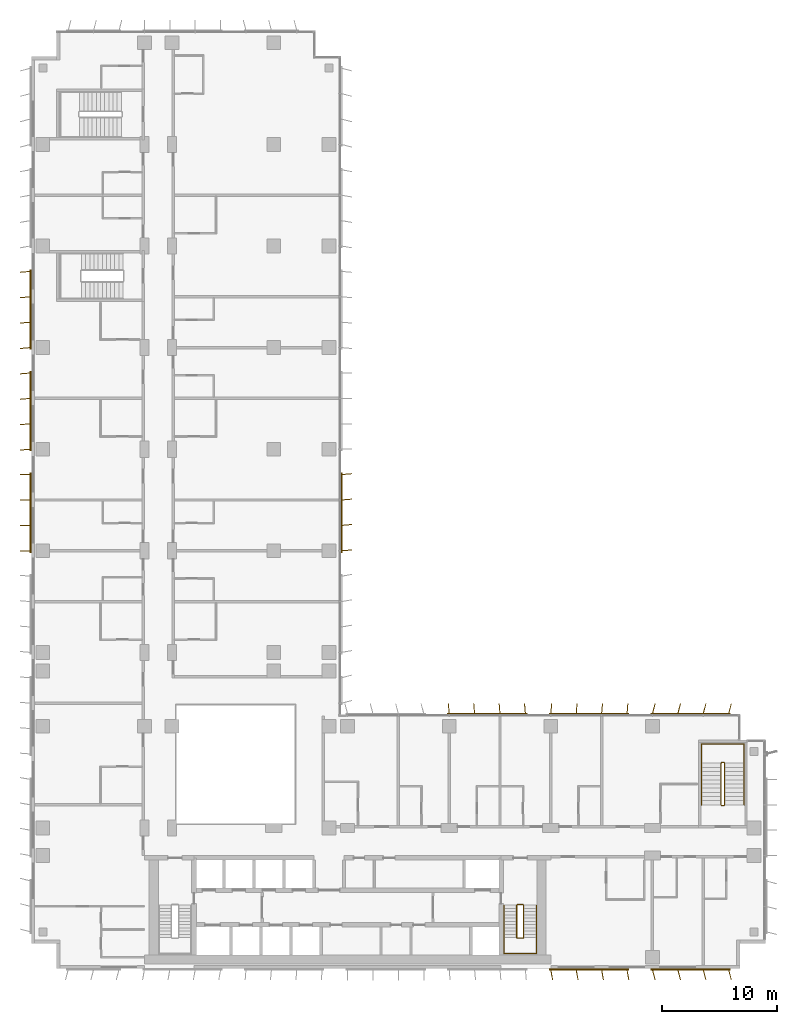
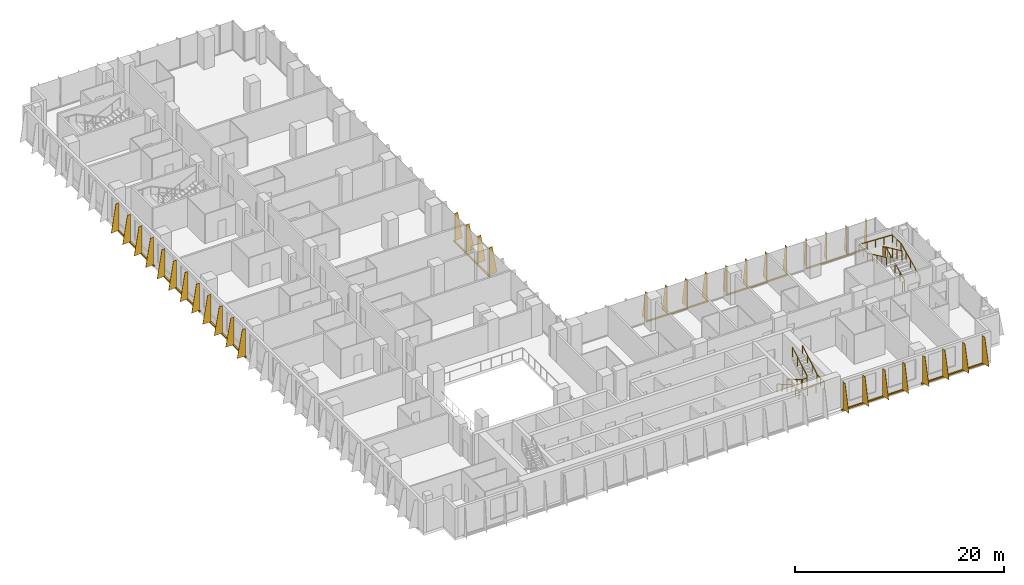
# One storey, part 21 of 23: 9 shading devices, 4 railings.
"""IFC4 building model written with IfcOpenShell, lengths in metres."""

import ifcopenshell
import ifcopenshell.guid

model = None  # the IFC model being written
_history = None  # IfcOwnerHistory: only IFC2X3 demands one
_inside = {}  # id of a spatial element -> (the spatial element, [elements in it])
_under = {}  # id of a project, library or spatial element -> (it, [spatial elements below it])
_declared = {}  # id of a project -> (the project, [libraries it declares])
_typed = {}  # id of a type object -> (the type object, [elements of that type])
_made_of = {}  # id of a material, layer set ... -> (it, [elements and type objects made of it])


def new_model(schema):
    """Start an empty IFC model of exactly this schema.

    Asked for "IFC4X3", IfcOpenShell would pick the latest addendum, in which some entities
    have other attributes; the version numbers below select the first issue.
    IFC2X3 requires an IfcOwnerHistory on every rooted entity: one is made here for all.
    """
    global model, _history
    if schema == "IFC4X3":
        model = ifcopenshell.file(schema_version=(4, 3, 0, 0))
    else:
        model = ifcopenshell.file(schema=schema)
    _inside.clear()
    _under.clear()
    _declared.clear()
    _typed.clear()
    _made_of.clear()
    _history = None
    if model.schema == "IFC2X3":
        org = make("IfcOrganization", Name="unknown")
        user = make(
            "IfcPersonAndOrganization",
            ThePerson=make("IfcPerson", FamilyName="unknown"),
            TheOrganization=org,
        )
        app = make(
            "IfcApplication",
            ApplicationDeveloper=org,
            Version="unknown",
            ApplicationFullName="unknown",
            ApplicationIdentifier="unknown",
        )
        _history = make(
            "IfcOwnerHistory",
            OwningUser=user,
            OwningApplication=app,
            ChangeAction="ADDED",
            CreationDate=0,
        )
    return model


def make(cls, **values):
    """One entity of the class cls with the attributes given. An attribute that is None is left unset."""
    return model.create_entity(
        cls, **{name: value for name, value in values.items() if value is not None}
    )


def rooted(cls, **values):
    """An entity with a GlobalId (a new one), such as an element, a storey or a relation."""
    return make(cls, GlobalId=ifcopenshell.guid.new(), OwnerHistory=_history, **values)


def si_unit(unit_type, name, prefix=None):
    """IfcSIUnit, for example si_unit("LENGTHUNIT", "METRE", prefix="MILLI")."""
    return make("IfcSIUnit", UnitType=unit_type, Prefix=prefix, Name=name)


def assignment(units):
    """IfcUnitAssignment: the units of a project."""
    return None if units is None else make("IfcUnitAssignment", Units=units)


def point(xyz):
    """IfcCartesianPoint."""
    return None if xyz is None else make("IfcCartesianPoint", Coordinates=xyz)


def direction(xyz):
    """IfcDirection."""
    return None if xyz is None else make("IfcDirection", DirectionRatios=xyz)


def frame(location, z_axis=None, x_axis=None):
    """IfcAxis2Placement3D, a coordinate frame: its origin and axes. An axis left out is left unset."""
    return make(
        "IfcAxis2Placement3D",
        Location=point(location),
        Axis=direction(z_axis),
        RefDirection=direction(x_axis),
    )


def frame_2d(location, x_axis=None):
    """IfcAxis2Placement2D, a coordinate frame in the plane: its origin and x axis."""
    return make(
        "IfcAxis2Placement2D", Location=point(location), RefDirection=direction(x_axis)
    )


def origin():
    """The frame at (0, 0, 0) with its axes left unset."""
    return frame((0.0, 0.0, 0.0))


def origin_2d():
    """The frame at (0, 0) in the plane with its x axis left unset."""
    return frame_2d((0.0, 0.0))


def place(relative_to, where):
    """IfcLocalPlacement: puts the frame where relative to a parent placement (None: the world)."""
    return make(
        "IfcLocalPlacement", PlacementRelTo=relative_to, RelativePlacement=where
    )


def context(
    kind, dimensions, precision=None, world=None, true_north=None, identifier=None
):
    """IfcGeometricRepresentationContext, for example the 3D "Model" context."""
    return make(
        "IfcGeometricRepresentationContext",
        ContextIdentifier=identifier,
        ContextType=kind,
        CoordinateSpaceDimension=dimensions,
        Precision=precision,
        WorldCoordinateSystem=world,
        TrueNorth=true_north,
    )


def subcontext(parent, identifier, kind, view, scale=None):
    """IfcGeometricRepresentationSubContext, for example "Body" below "Model"."""
    return make(
        "IfcGeometricRepresentationSubContext",
        ContextIdentifier=identifier,
        ContextType=kind,
        ParentContext=parent,
        TargetScale=scale,
        TargetView=view,
    )


def project(units=None, contexts=None):
    """IfcProject with its units and contexts."""
    return rooted(
        "IfcProject",
        Name="project",
        RepresentationContexts=contexts,
        UnitsInContext=assignment(units),
    )


def spatial(cls, under=None, at=None, **own):
    """A site, building, storey or space (cls), placed at a placement, below another one or the project."""
    s = rooted(cls, ObjectPlacement=at, **own)
    if under is not None:
        _under.setdefault(under.id(), (under, []))[1].append(s)
    return s


def polyline(points):
    """IfcPolyline through the points."""
    return make("IfcPolyline", Points=[point(p) for p in points])


def profile(cls, at=None, kind="AREA", **sizes):
    """A parametric profile (cls). Its sizes go by their IFC names, for example OverallWidth=200.0."""
    return make(cls, ProfileType=kind, Position=at, **sizes)


def rectangle(**sizes):
    """IfcRectangleProfileDef."""
    return profile("IfcRectangleProfileDef", **sizes)


def circle(**sizes):
    """IfcCircleProfileDef."""
    return profile("IfcCircleProfileDef", **sizes)


def outline(outer, holes=None, kind="AREA"):
    """IfcArbitraryClosedProfileDef: a profile drawn as a closed curve; with holes, ...WithVoids."""
    if holes is None:
        return make("IfcArbitraryClosedProfileDef", ProfileType=kind, OuterCurve=outer)
    return make(
        "IfcArbitraryProfileDefWithVoids",
        ProfileType=kind,
        OuterCurve=outer,
        InnerCurves=holes,
    )


def extrude(swept, where, along, depth):
    """IfcExtrudedAreaSolid: the profile swept, set in the frame where, extruded along a direction by depth."""
    return make(
        "IfcExtrudedAreaSolid",
        SweptArea=swept,
        Position=where,
        ExtrudedDirection=direction(along),
        Depth=depth,
    )


def shape(context_of_items, identifier, shape_type, items):
    """IfcShapeRepresentation: the items that make up one representation, for example the "Body"."""
    return make(
        "IfcShapeRepresentation",
        ContextOfItems=context_of_items,
        RepresentationIdentifier=identifier,
        RepresentationType=shape_type,
        Items=items,
    )


def source(mapping_origin, context_of_items, identifier, shape_type, items):
    """IfcRepresentationMap: a shape defined once, which mapped items show again and again."""
    return make(
        "IfcRepresentationMap",
        MappingOrigin=mapping_origin,
        MappedRepresentation=shape(context_of_items, identifier, shape_type, items),
    )


def transform(
    local_origin,
    x_axis=None,
    y_axis=None,
    z_axis=None,
    scale=None,
    scale2=None,
    scale3=None,
    uniform=True,
):
    """IfcCartesianTransformationOperator3D, or its non-uniform kind. x_axis, y_axis, z_axis: its Axis1, 2, 3."""
    if uniform:
        return make(
            "IfcCartesianTransformationOperator3D",
            Axis1=direction(x_axis),
            Axis2=direction(y_axis),
            LocalOrigin=point(local_origin),
            Scale=scale,
            Axis3=direction(z_axis),
        )
    return make(
        "IfcCartesianTransformationOperator3DnonUniform",
        Axis1=direction(x_axis),
        Axis2=direction(y_axis),
        LocalOrigin=point(local_origin),
        Scale=scale,
        Axis3=direction(z_axis),
        Scale2=scale2,
        Scale3=scale3,
    )


def mapped(mapping_source, mapping_target):
    """IfcMappedItem: shows the shape of a source again, moved by a transform."""
    return make(
        "IfcMappedItem", MappingSource=mapping_source, MappingTarget=mapping_target
    )


def material(Name=None, Category=None):
    """IfcMaterial."""
    return make("IfcMaterial", Name=Name, Category=Category)


def layer(
    of_material, thickness, ventilated=None, Name=None, Category=None, Priority=None
):
    """IfcMaterialLayer: one layer of a wall or slab, of a material (None: an air gap)."""
    return make(
        "IfcMaterialLayer",
        Material=of_material,
        LayerThickness=thickness,
        IsVentilated=ventilated,
        Name=Name,
        Category=Category,
        Priority=Priority,
    )


def layer_set(layers, Name=None):
    """IfcMaterialLayerSet."""
    return make("IfcMaterialLayerSet", MaterialLayers=layers, LayerSetName=Name)


def made_of(thing, what):
    """Note that an element or type object is made of a material, layer set ...; save() writes the relation."""
    if what is not None:
        _made_of.setdefault(what.id(), (what, []))[1].append(thing)
    return thing


def type_object(cls, material=None, **own):
    """A type object (cls), such as IfcWallType, which elements share."""
    return made_of(rooted(cls, **own), material)


def element(
    cls,
    number,
    at=None,
    inside=None,
    cuts=None,
    type_object=None,
    material=None,
    context=None,
    identifier="Body",
    shape_type=None,
    held_by="IfcProductDefinitionShape",
    body=None,
    shapes=None,
    **own,
):
    """One element of the class cls, such as IfcWall. Its Tag is "e" and its number.

    at: its placement. inside: the storey or other place that contains it. cuts: it is an
    opening in that element (IfcRelVoidsElement). A single representation is given by context,
    identifier, shape_type and body (its items); several are given by shapes. held_by: the class
    of the entity that holds the representations. save() writes the other relations.
    """
    e = rooted(cls, Tag="e%d" % number, ObjectPlacement=at, **own)
    if body is not None:
        shapes = [shape(context, identifier, shape_type, body)]
    if shapes is not None:
        e.Representation = make(held_by, Representations=shapes)
    if inside is not None:
        _inside.setdefault(inside.id(), (inside, []))[1].append(e)
    if cuts is not None:
        rooted(
            "IfcRelVoidsElement", RelatingBuildingElement=cuts, RelatedOpeningElement=e
        )
    if type_object is not None:
        _typed.setdefault(type_object.id(), (type_object, []))[1].append(e)
    return made_of(e, material)


def aggregate(whole, parts):
    """IfcRelAggregates: a whole, such as a stair, and the parts it consists of."""
    return rooted("IfcRelAggregates", RelatingObject=whole, RelatedObjects=parts)


def save(model, path):
    """Write the relations noted so far, then the file.

    IfcRelAggregates (storeys below a building ...), IfcRelContainedInSpatialStructure (elements
    in a storey), IfcRelDefinesByType, IfcRelAssociatesMaterial and IfcRelDeclares: one each for
    every whole, place, type object, material and project.
    """
    for whole, parts in _under.values():
        aggregate(whole, parts)
    for where, things in _inside.values():
        rooted(
            "IfcRelContainedInSpatialStructure",
            RelatedElements=things,
            RelatingStructure=where,
        )
    for kind, things in _typed.values():
        rooted("IfcRelDefinesByType", RelatedObjects=things, RelatingType=kind)
    for what, things in _made_of.values():
        rooted("IfcRelAssociatesMaterial", RelatedObjects=things, RelatingMaterial=what)
    for by, libraries in _declared.values():
        rooted("IfcRelDeclares", RelatingContext=by, RelatedDefinitions=libraries)
    model.write(path)


model = new_model("IFC4")

# Units and contexts
model_context = context("Model", 3, precision=1e-05, world=origin(), true_north=direction((0.0, 1.0)))
body_context = subcontext(model_context, "Body", "Model", "MODEL_VIEW")
ifc_project = project(units=[si_unit("LENGTHUNIT", "METRE"), si_unit("AREAUNIT", "SQUARE_METRE"), si_unit("VOLUMEUNIT", "CUBIC_METRE"), si_unit("PLANEANGLEUNIT", "RADIAN"), si_unit("MASSUNIT", "GRAM", prefix="KILO")], contexts=[model_context])

# Site, building, storey
site_placement = place(None, origin())
site = spatial("IfcSite", under=ifc_project, at=site_placement, CompositionType="ELEMENT")
building_placement = place(site_placement, origin())
building = spatial("IfcBuilding", under=site, at=building_placement, Name="Kemantara Hotel Tower", CompositionType="ELEMENT")
storey_placement = place(building_placement, frame((0.0, 0.0, 138.300048828125)))
storey = spatial("IfcBuildingStorey", under=building, at=storey_placement, Name="L33", CompositionType="ELEMENT", Elevation=138.300048828125)

# Railings
ifc_material_1 = material(Name="Stainless steel balustrade", Category="steel")
railing_type_1 = type_object("IfcRailingType", Name="Stair guard 1100 mm", PredefinedType="GUARDRAIL", material=ifc_material_1)
railing_1_placement = place(storey_placement, frame((42.64990234375, 5.5, 3.699951171875)))
element("IfcRailing", 1, at=railing_1_placement, inside=storey, type_object=railing_type_1, Name="L33 ST2 stair guard 1", PredefinedType="GUARDRAIL", context=body_context, shape_type="SweptSolid", body=[
    extrude(circle(Radius=0.02392578125, at=origin_2d()), frame((0.0, 0.0, 1.076171875), z_axis=(0.0, -0.857242210791, -0.514913383045), x_axis=(1.0, 0.0, 0.0)), (0.0, 0.0, 1.0), 3.266357421875),
    extrude(circle(Radius=0.02392578125, at=origin_2d()), frame((0.0, -2.800048828125, -0.60595703125), z_axis=(-0.273006030465, -0.27434429532, -0.922064485248), x_axis=(0.708833529934, -0.705375805398, 0.0)), (0.0, 0.0, 1.0), 0.182373046875),
    extrude(circle(Radius=0.02392578125, at=origin_2d()), frame((-0.0498046875, -2.85009765625, -0.77392578125), z_axis=(-1.0, 0.0, 0.0), x_axis=(0.0, -1.0, 0.0)), (0.0, 0.0, 1.0), 0.5),
    extrude(circle(Radius=0.02392578125, at=origin_2d()), frame((-0.5498046875, -2.85009765625, -0.77392578125), z_axis=(-0.707106781187, 0.707106781187, 0.0), x_axis=(-0.707106781187, -0.707106781187, 0.0)), (0.0, 0.0, 1.0), 0.07080078125),
    extrude(circle(Radius=0.02392578125, at=origin_2d()), frame((-0.599853515625, -2.800048828125, -0.77392578125), z_axis=(0.0, 0.857275202839, -0.514858452973), x_axis=(-1.0, 0.0, 0.0)), (0.0, 0.0, 1.0), 3.26611328125),
    extrude(circle(Radius=0.02392578125, at=origin_2d()), frame((-0.599853515625, 0.0, -2.45556640625), z_axis=(0.274243871929, 0.274243871929, -0.92172696468), x_axis=(-0.707106781187, 0.707106781187, 0.0)), (0.0, 0.0, 1.0), 0.1826171875),
    extrude(circle(Radius=0.02392578125, at=origin_2d()), frame((-0.5498046875, 0.050048828125, -2.6240234375), z_axis=(1.0, 0.0, 0.0), x_axis=(0.0, 1.0, 0.0)), (0.0, 0.0, 1.0), 0.5),
    extrude(circle(Radius=0.02099609375, at=origin_2d()), origin(), (0.0, 0.0, 1.0), 1.052001953125),
    extrude(circle(Radius=0.02099609375, at=origin_2d()), frame((0.0, -0.933349609375, -0.560546875)), (0.0, 0.0, 1.0), 1.052001953125),
    extrude(circle(Radius=0.02099609375, at=origin_2d()), frame((0.0, -1.86669921875, -1.121337890625)), (0.0, 0.0, 1.0), 1.052001953125),
    extrude(circle(Radius=0.02099609375, at=origin_2d()), frame((0.0, -2.800048828125, -1.681884765625)), (0.0, 0.0, 1.0), 1.052001953125),
    extrude(circle(Radius=0.02099609375, at=origin_2d()), frame((-0.0498046875, -2.85009765625, -1.85009765625)), (0.0, 0.0, 1.0), 1.052001953125),
    extrude(circle(Radius=0.02099609375, at=origin_2d()), frame((-0.5498046875, -2.85009765625, -1.85009765625)), (0.0, 0.0, 1.0), 1.052001953125),
    extrude(circle(Radius=0.02099609375, at=origin_2d()), frame((-0.599853515625, -2.800048828125, -1.85009765625)), (0.0, 0.0, 1.0), 1.052001953125),
    extrude(circle(Radius=0.02099609375, at=origin_2d()), frame((-0.599853515625, -1.86669921875, -2.41064453125)), (0.0, 0.0, 1.0), 1.052001953125),
    extrude(circle(Radius=0.02099609375, at=origin_2d()), frame((-0.599853515625, -0.933349609375, -2.97119140625)), (0.0, 0.0, 1.0), 1.052001953125),
    extrude(circle(Radius=0.02099609375, at=origin_2d()), frame((-0.599853515625, 0.0, -3.53173828125)), (0.0, 0.0, 1.0), 1.052001953125),
    extrude(circle(Radius=0.02099609375, at=origin_2d()), frame((-0.5498046875, 0.050048828125, -3.699951171875)), (0.0, 0.0, 1.0), 1.052001953125),
    extrude(circle(Radius=0.02099609375, at=origin_2d()), frame((-0.0498046875, 0.050048828125, -3.699951171875)), (0.0, 0.0, 1.0), 1.052001953125),
])
railing_2_placement = place(storey_placement, frame((59.75, 14.199951171875, 3.699951171875)))
element("IfcRailing", 2, at=railing_2_placement, inside=storey, type_object=railing_type_1, Name="L33 ST3 stair guard 1", PredefinedType="GUARDRAIL", context=body_context, shape_type="SweptSolid", body=[
    extrude(circle(Radius=0.02392578125, at=origin_2d()), frame((0.0, 0.0, 1.076171875), z_axis=(0.0, 0.906005689286, -0.423265508849), x_axis=(-1.0, 0.0, 0.0)), (0.0, 0.0, 1.0), 3.9736328125),
    extrude(circle(Radius=0.02392578125, at=origin_2d()), frame((0.0, 3.60009765625, -0.60595703125), z_axis=(0.274243871929, 0.274243871929, -0.92172696468), x_axis=(-0.707106781187, 0.707106781187, 0.0)), (0.0, 0.0, 1.0), 0.1826171875),
    extrude(circle(Radius=0.02392578125, at=origin_2d()), frame((0.050048828125, 3.650146484375, -0.77392578125), z_axis=(1.0, 0.0, 0.0), x_axis=(0.0, 1.0, 0.0)), (0.0, 0.0, 1.0), 0.199951171875),
    extrude(circle(Radius=0.02392578125, at=origin_2d()), frame((0.25, 3.650146484375, -0.77392578125), z_axis=(0.707106781187, -0.707106781187, 0.0), x_axis=(0.707106781187, 0.707106781187, 0.0)), (0.0, 0.0, 1.0), 0.07080078125),
    extrude(circle(Radius=0.02392578125, at=origin_2d()), frame((0.300048828125, 3.60009765625, -0.77392578125), z_axis=(0.0, -0.906029249863, -0.423215073447), x_axis=(1.0, 0.0, 0.0)), (0.0, 0.0, 1.0), 3.973388671875),
    extrude(circle(Radius=0.02392578125, at=origin_2d()), frame((0.300048828125, 0.0, -2.45556640625), z_axis=(-0.274243871929, -0.274243871929, -0.92172696468), x_axis=(0.707106781187, -0.707106781187, 0.0)), (0.0, 0.0, 1.0), 0.1826171875),
    extrude(circle(Radius=0.02392578125, at=origin_2d()), frame((0.25, -0.050048828125, -2.6240234375), z_axis=(-1.0, 0.0, 0.0), x_axis=(0.0, -1.0, 0.0)), (0.0, 0.0, 1.0), 0.199951171875),
    extrude(circle(Radius=0.02099609375, at=origin_2d()), origin(), (0.0, 0.0, 1.0), 1.052001953125),
    extrude(circle(Radius=0.02099609375, at=origin_2d()), frame((0.0, 0.89990234375, -0.42041015625)), (0.0, 0.0, 1.0), 1.052001953125),
    extrude(circle(Radius=0.02099609375, at=origin_2d()), frame((0.0, 1.800048828125, -0.8408203125)), (0.0, 0.0, 1.0), 1.052001953125),
    extrude(circle(Radius=0.02099609375, at=origin_2d()), frame((0.0, 2.7001953125, -1.261474609375)), (0.0, 0.0, 1.0), 1.052001953125),
    extrude(circle(Radius=0.02099609375, at=origin_2d()), frame((0.0, 3.60009765625, -1.681884765625)), (0.0, 0.0, 1.0), 1.052001953125),
    extrude(circle(Radius=0.02099609375, at=origin_2d()), frame((0.050048828125, 3.650146484375, -1.85009765625)), (0.0, 0.0, 1.0), 1.052001953125),
    extrude(circle(Radius=0.02099609375, at=origin_2d()), frame((0.25, 3.650146484375, -1.85009765625)), (0.0, 0.0, 1.0), 1.052001953125),
    extrude(circle(Radius=0.02099609375, at=origin_2d()), frame((0.300048828125, 3.60009765625, -1.85009765625)), (0.0, 0.0, 1.0), 1.052001953125),
    extrude(circle(Radius=0.02099609375, at=origin_2d()), frame((0.300048828125, 2.7001953125, -2.2705078125)), (0.0, 0.0, 1.0), 1.052001953125),
    extrude(circle(Radius=0.02099609375, at=origin_2d()), frame((0.300048828125, 1.800048828125, -2.69091796875)), (0.0, 0.0, 1.0), 1.052001953125),
    extrude(circle(Radius=0.02099609375, at=origin_2d()), frame((0.300048828125, 0.89990234375, -3.111328125)), (0.0, 0.0, 1.0), 1.052001953125),
    extrude(circle(Radius=0.02099609375, at=origin_2d()), frame((0.300048828125, 0.0, -3.53173828125)), (0.0, 0.0, 1.0), 1.052001953125),
    extrude(circle(Radius=0.02099609375, at=origin_2d()), frame((0.25, -0.050048828125, -3.699951171875)), (0.0, 0.0, 1.0), 1.052001953125),
    extrude(circle(Radius=0.02099609375, at=origin_2d()), frame((0.050048828125, -0.050048828125, -3.699951171875)), (0.0, 0.0, 1.0), 1.052001953125),
])
railing_type_2 = type_object("IfcRailingType", Name="Stair handrail 900 mm", PredefinedType="HANDRAIL", material=ifc_material_1)
railing_3_placement = place(storey_placement, frame((40.949951171875, 5.5, 0.168212890625)))
element("IfcRailing", 3, at=railing_3_placement, inside=storey, type_object=railing_type_2, Name="L33 ST2 stair handrail 1", PredefinedType="HANDRAIL", context=body_context, shape_type="SweptSolid", body=[
    extrude(circle(Radius=0.02392578125, at=origin_2d()), frame((0.0, 0.0, 0.8759765625), z_axis=(0.0, -0.857275202839, 0.514858452973), x_axis=(1.0, 0.0, 0.0)), (0.0, 0.0, 1.0), 3.26611328125),
    extrude(circle(Radius=0.02392578125, at=origin_2d()), frame((0.0, -2.800048828125, 2.5576171875), z_axis=(0.0, -1.0, 0.0), x_axis=(1.0, 0.0, 0.0)), (0.0, 0.0, 1.0), 1.3798828125),
    extrude(circle(Radius=0.02392578125, at=origin_2d()), frame((0.0, -4.179931640625, 2.5576171875), z_axis=(0.998200367801, 0.0, 0.059966871865), x_axis=(0.0, 1.0, 0.0)), (0.0, 0.0, 1.0), 2.80517578125),
    extrude(circle(Radius=0.02392578125, at=origin_2d()), frame((2.800048828125, -4.179931640625, 2.7255859375), z_axis=(0.0, 1.0, 0.0), x_axis=(-1.0, 0.0, 0.0)), (0.0, 0.0, 1.0), 1.3798828125),
    extrude(circle(Radius=0.02392578125, at=origin_2d()), frame((2.800048828125, -2.800048828125, 2.7255859375), z_axis=(0.0, 0.857242210791, 0.514913383045), x_axis=(-1.0, 0.0, 0.0)), (0.0, 0.0, 1.0), 3.266357421875),
    extrude(circle(Radius=0.02099609375, at=origin_2d()), origin(), (0.0, 0.0, 1.0), 0.851806640625),
    extrude(circle(Radius=0.02099609375, at=origin_2d()), frame((0.0, -0.933349609375, 0.560546875)), (0.0, 0.0, 1.0), 0.851806640625),
    extrude(circle(Radius=0.02099609375, at=origin_2d()), frame((0.0, -1.86669921875, 1.12109375)), (0.0, 0.0, 1.0), 0.851806640625),
    extrude(circle(Radius=0.02099609375, at=origin_2d()), frame((0.0, -2.800048828125, 1.681640625)), (0.0, 0.0, 1.0), 0.851806640625),
    extrude(circle(Radius=0.02099609375, at=origin_2d()), frame((0.0, -3.489990234375, 1.681640625)), (0.0, 0.0, 1.0), 0.851806640625),
    extrude(circle(Radius=0.02099609375, at=origin_2d()), frame((0.0, -4.179931640625, 1.681640625)), (0.0, 0.0, 1.0), 0.851806640625),
    extrude(circle(Radius=0.02099609375, at=origin_2d()), frame((0.933349609375, -4.179931640625, 1.73779296875)), (0.0, 0.0, 1.0), 0.851806640625),
    extrude(circle(Radius=0.02099609375, at=origin_2d()), frame((1.86669921875, -4.179931640625, 1.793701171875)), (0.0, 0.0, 1.0), 0.851806640625),
    extrude(circle(Radius=0.02099609375, at=origin_2d()), frame((2.800048828125, -4.179931640625, 1.849853515625)), (0.0, 0.0, 1.0), 0.851806640625),
    extrude(circle(Radius=0.02099609375, at=origin_2d()), frame((2.800048828125, -3.489990234375, 1.849853515625)), (0.0, 0.0, 1.0), 0.851806640625),
    extrude(circle(Radius=0.02099609375, at=origin_2d()), frame((2.800048828125, -2.800048828125, 1.849853515625)), (0.0, 0.0, 1.0), 0.851806640625),
    extrude(circle(Radius=0.02099609375, at=origin_2d()), frame((2.800048828125, -1.86669921875, 2.410400390625)), (0.0, 0.0, 1.0), 0.851806640625),
    extrude(circle(Radius=0.02099609375, at=origin_2d()), frame((2.800048828125, -0.933349609375, 2.97119140625)), (0.0, 0.0, 1.0), 0.851806640625),
    extrude(circle(Radius=0.02099609375, at=origin_2d()), frame((2.800048828125, 0.0, 3.53173828125)), (0.0, 0.0, 1.0), 0.851806640625),
])
railing_4_placement = place(storey_placement, frame((61.75, 14.199951171875, 0.168212890625)))
element("IfcRailing", 4, at=railing_4_placement, inside=storey, type_object=railing_type_2, Name="L33 ST3 stair handrail 1", PredefinedType="HANDRAIL", context=body_context, shape_type="SweptSolid", body=[
    extrude(circle(Radius=0.02392578125, at=origin_2d()), frame((0.0, 0.0, 0.8759765625), z_axis=(0.0, 0.906029249863, 0.423215073447), x_axis=(-1.0, 0.0, 0.0)), (0.0, 0.0, 1.0), 3.973388671875),
    extrude(circle(Radius=0.02392578125, at=origin_2d()), frame((0.0, 3.60009765625, 2.5576171875), z_axis=(0.0, 1.0, 0.0), x_axis=(-1.0, 0.0, 0.0)), (0.0, 0.0, 1.0), 1.679931640625),
    extrude(circle(Radius=0.02392578125, at=origin_2d()), frame((0.0, 5.280029296875, 2.5576171875), z_axis=(-0.998968132438, 0.0, 0.045416631029), x_axis=(0.0, -1.0, 0.0)), (0.0, 0.0, 1.0), 3.703857421875),
    extrude(circle(Radius=0.02392578125, at=origin_2d()), frame((-3.699951171875, 5.280029296875, 2.7255859375), z_axis=(0.0, -1.0, 0.0), x_axis=(1.0, 0.0, 0.0)), (0.0, 0.0, 1.0), 1.679931640625),
    extrude(circle(Radius=0.02392578125, at=origin_2d()), frame((-3.699951171875, 3.60009765625, 2.7255859375), z_axis=(0.0, -0.906005689286, 0.423265508849), x_axis=(1.0, 0.0, 0.0)), (0.0, 0.0, 1.0), 3.9736328125),
    extrude(circle(Radius=0.02099609375, at=origin_2d()), origin(), (0.0, 0.0, 1.0), 0.851806640625),
    extrude(circle(Radius=0.02099609375, at=origin_2d()), frame((0.0, 0.89990234375, 0.42041015625)), (0.0, 0.0, 1.0), 0.851806640625),
    extrude(circle(Radius=0.02099609375, at=origin_2d()), frame((0.0, 1.800048828125, 0.8408203125)), (0.0, 0.0, 1.0), 0.851806640625),
    extrude(circle(Radius=0.02099609375, at=origin_2d()), frame((0.0, 2.7001953125, 1.26123046875)), (0.0, 0.0, 1.0), 0.851806640625),
    extrude(circle(Radius=0.02099609375, at=origin_2d()), frame((0.0, 3.60009765625, 1.681640625)), (0.0, 0.0, 1.0), 0.851806640625),
    extrude(circle(Radius=0.02099609375, at=origin_2d()), frame((0.0, 4.43994140625, 1.681640625)), (0.0, 0.0, 1.0), 0.851806640625),
    extrude(circle(Radius=0.02099609375, at=origin_2d()), frame((0.0, 5.280029296875, 1.681640625)), (0.0, 0.0, 1.0), 0.851806640625),
    extrude(circle(Radius=0.02099609375, at=origin_2d()), frame((-0.925048828125, 5.280029296875, 1.7236328125)), (0.0, 0.0, 1.0), 0.851806640625),
    extrude(circle(Radius=0.02099609375, at=origin_2d()), frame((-1.85009765625, 5.280029296875, 1.765625)), (0.0, 0.0, 1.0), 0.851806640625),
    extrude(circle(Radius=0.02099609375, at=origin_2d()), frame((-2.77490234375, 5.280029296875, 1.807861328125)), (0.0, 0.0, 1.0), 0.851806640625),
    extrude(circle(Radius=0.02099609375, at=origin_2d()), frame((-3.699951171875, 5.280029296875, 1.849853515625)), (0.0, 0.0, 1.0), 0.851806640625),
    extrude(circle(Radius=0.02099609375, at=origin_2d()), frame((-3.699951171875, 4.43994140625, 1.849853515625)), (0.0, 0.0, 1.0), 0.851806640625),
    extrude(circle(Radius=0.02099609375, at=origin_2d()), frame((-3.699951171875, 3.60009765625, 1.849853515625)), (0.0, 0.0, 1.0), 0.851806640625),
    extrude(circle(Radius=0.02099609375, at=origin_2d()), frame((-3.699951171875, 2.7001953125, 2.270263671875)), (0.0, 0.0, 1.0), 0.851806640625),
    extrude(circle(Radius=0.02099609375, at=origin_2d()), frame((-3.699951171875, 1.800048828125, 2.69091796875)), (0.0, 0.0, 1.0), 0.851806640625),
    extrude(circle(Radius=0.02099609375, at=origin_2d()), frame((-3.699951171875, 0.89990234375, 3.111328125)), (0.0, 0.0, 1.0), 0.851806640625),
    extrude(circle(Radius=0.02099609375, at=origin_2d()), frame((-3.699951171875, 0.0, 3.53173828125)), (0.0, 0.0, 1.0), 0.851806640625),
])

# Shading devices
ifc_material_2 = material(Name="Perforated aluminium plate 4 mm bronze anodised", Category="aluminium")
ifc_layer_1 = layer(ifc_material_2, 0.0400390625)
ifc_layer_set_1 = layer_set([ifc_layer_1], Name="Perforated aluminium plate 4 mm bronze anodised")
shading_device_type_1 = type_object("IfcShadingDeviceType", Name="SCREEN FIN CASSETTE, 4 BLADES AT -5.0 DEG, 3200 HIGH", PredefinedType="USERDEFINED", material=ifc_layer_set_1)
shared_shape_1 = source(origin(), body_context, "Body", "SweptSolid", [
    extrude(rectangle(XDim=6.89990234375, YDim=0.14990234375, at=origin_2d()), frame((3.300048828125, -0.074951171875, -0.14990234375), z_axis=(0.0, 0.0, 1.0), x_axis=(1.0, 0.0, 0.0)), (0.0, 0.0, 1.0), 0.14990234375),
    extrude(outline(polyline([(0.0, 0.0), (0.89990234375, 0.0), (0.35009765625, 3.199951171875), (0.0, 3.199951171875), (0.0, 0.0)])), frame((0.02001953125, -0.07666015625, 0.0), z_axis=(-0.996376129781, 0.085056498884, 0.0), x_axis=(-0.085056498884, -0.996376129781, 0.0)), (0.0, 0.0, 1.0), 0.040283203125),
    extrude(outline(polyline([(0.0, 0.0), (0.89990234375, 0.0), (0.35009765625, 3.199951171875), (0.0, 3.199951171875), (0.0, 0.0)])), frame((2.219970703125, -0.07666015625, 0.0), z_axis=(-0.996331773833, 0.085574508182, 0.0), x_axis=(-0.085574508182, -0.996331773833, 0.0)), (0.0, 0.0, 1.0), 0.0400390625),
    extrude(outline(polyline([(0.0, 0.0), (0.89990234375, 0.0), (0.35009765625, 3.199951171875), (0.0, 3.199951171875), (0.0, 0.0)])), frame((4.419921875, -0.07666015625, 0.0), z_axis=(-0.996331773833, 0.085574508182, 0.0), x_axis=(-0.085574508182, -0.996331773833, 0.0)), (0.0, 0.0, 1.0), 0.0400390625),
    extrude(outline(polyline([(0.0, 0.0), (0.89990234375, 0.0), (0.35009765625, 3.199951171875), (0.0, 3.199951171875), (0.0, 0.0)])), frame((6.619873046875, -0.07666015625, 0.0), z_axis=(-0.996331773833, 0.085574508182, 0.0), x_axis=(-0.085574508182, -0.996331773833, 0.0)), (0.0, 0.0, 1.0), 0.0400390625),
])
shading_device_1_placement = place(storey_placement, frame((51.60009765625, 22.0, 0.099853515625), z_axis=(0.0, 0.0, 1.0), x_axis=(-1.0, 0.0, 0.0)))
element("IfcShadingDevice", 5, at=shading_device_1_placement, inside=storey, type_object=shading_device_type_1, Name="SCREEN FIN CASSETTE L33 T2-R13-2", ObjectType="SCREEN FIN", PredefinedType="USERDEFINED", context=body_context, shape_type="MappedRepresentation", body=[
    mapped(shared_shape_1, transform((0.0, 0.0, 0.0))),
])
ifc_layer_2 = layer(ifc_material_2, 0.0400390625)
ifc_layer_set_2 = layer_set([ifc_layer_2], Name="Perforated aluminium plate 4 mm bronze anodised")
shading_device_type_2 = type_object("IfcShadingDeviceType", Name="SCREEN FIN CASSETTE, 4 BLADES AT +0.0 DEG, 3200 HIGH", PredefinedType="USERDEFINED", material=ifc_layer_set_2)
shared_shape_2 = source(origin(), body_context, "Body", "SweptSolid", [
    extrude(rectangle(XDim=6.89990234375, YDim=0.14990234375, at=origin_2d()), frame((3.300048828125, -0.074951171875, -0.14990234375), z_axis=(0.0, 0.0, 1.0), x_axis=(1.0, 0.0, 0.0)), (0.0, 0.0, 1.0), 0.14990234375),
    extrude(outline(polyline([(0.0, 0.0), (0.89990234375, 0.0), (0.35009765625, 3.199951171875), (0.0, 3.199951171875), (0.0, 0.0)])), frame((0.02001953125, -0.074951171875, 0.0), z_axis=(-1.0, 0.0, 0.0), x_axis=(0.0, -1.0, 0.0)), (0.0, 0.0, 1.0), 0.0400390625),
    extrude(outline(polyline([(0.0, 0.0), (0.89990234375, 0.0), (0.35009765625, 3.199951171875), (0.0, 3.199951171875), (0.0, 0.0)])), frame((2.219970703125, -0.074951171875, 0.0), z_axis=(-1.0, 0.0, 0.0), x_axis=(0.0, -1.0, 0.0)), (0.0, 0.0, 1.0), 0.0400390625),
    extrude(outline(polyline([(0.0, 0.0), (0.89990234375, 0.0), (0.35009765625, 3.199951171875), (0.0, 3.199951171875), (0.0, 0.0)])), frame((4.419921875, -0.074951171875, 0.0), z_axis=(-1.0, 0.0, 0.0), x_axis=(0.0, -1.0, 0.0)), (0.0, 0.0, 1.0), 0.0400390625),
    extrude(outline(polyline([(0.0, 0.0), (0.89990234375, 0.0), (0.35009765625, 3.199951171875), (0.0, 3.199951171875), (0.0, 0.0)])), frame((6.6201171875, -0.074951171875, 0.0), z_axis=(-1.0, 0.0, 0.0), x_axis=(0.0, -1.0, 0.0)), (0.0, 0.0, 1.0), 0.0400390625),
])
shading_device_2_placement = place(storey_placement, frame((0.0, 42.800048828125, 0.099853515625), z_axis=(0.0, 0.0, 1.0), x_axis=(0.0, -1.0, 0.0)))
element("IfcShadingDevice", 6, at=shading_device_2_placement, inside=storey, type_object=shading_device_type_2, Name="SCREEN FIN CASSETTE L33 T2-R04-5", ObjectType="SCREEN FIN", PredefinedType="USERDEFINED", context=body_context, shape_type="MappedRepresentation", body=[
    mapped(shared_shape_2, transform((0.0, 0.0, 0.0))),
])
ifc_layer_3 = layer(ifc_material_2, 0.0400390625)
ifc_layer_set_3 = layer_set([ifc_layer_3], Name="Perforated aluminium plate 4 mm bronze anodised")
shading_device_type_3 = type_object("IfcShadingDeviceType", Name="SCREEN FIN CASSETTE, 4 BLADES AT +5.0 DEG, 3200 HIGH", PredefinedType="USERDEFINED", material=ifc_layer_set_3)
shared_shape_3 = source(origin(), body_context, "Body", "SweptSolid", [
    extrude(rectangle(XDim=6.89990234375, YDim=0.14990234375, at=origin_2d()), frame((3.300048828125, -0.074951171875, -0.14990234375), z_axis=(0.0, 0.0, 1.0), x_axis=(1.0, 0.0, 0.0)), (0.0, 0.0, 1.0), 0.14990234375),
    extrude(outline(polyline([(0.0, 0.0), (0.89990234375, 0.0), (0.35009765625, 3.199951171875), (0.0, 3.199951171875), (0.0, 0.0)])), frame((0.02001953125, -0.0732421875, 0.0), z_axis=(-0.996376129781, -0.085056498884, 0.0), x_axis=(0.085056498884, -0.996376129781, 0.0)), (0.0, 0.0, 1.0), 0.040283203125),
    extrude(outline(polyline([(0.0, 0.0), (0.89990234375, 0.0), (0.35009765625, 3.199951171875), (0.0, 3.199951171875), (0.0, 0.0)])), frame((2.219970703125, -0.0732421875, 0.0), z_axis=(-0.996331773833, -0.085574508182, 0.0), x_axis=(0.085574508182, -0.996331773833, 0.0)), (0.0, 0.0, 1.0), 0.0400390625),
    extrude(outline(polyline([(0.0, 0.0), (0.89990234375, 0.0), (0.35009765625, 3.199951171875), (0.0, 3.199951171875), (0.0, 0.0)])), frame((4.419921875, -0.0732421875, 0.0), z_axis=(-0.996331773833, -0.085574508182, 0.0), x_axis=(0.085574508182, -0.996331773833, 0.0)), (0.0, 0.0, 1.0), 0.0400390625),
    extrude(outline(polyline([(0.0, 0.0), (0.89990234375, 0.0), (0.35009765625, 3.199951171875), (0.0, 3.199951171875), (0.0, 0.0)])), frame((6.619873046875, -0.0732421875, 0.0), z_axis=(-0.996331773833, -0.085574508182, 0.0), x_axis=(0.085574508182, -0.996331773833, 0.0)), (0.0, 0.0, 1.0), 0.0400390625),
])
for number, where, z_axis, x_axis, name in (
    (7, (0.0, 60.39990234375, 0.099853515625), (0.0, 0.0, 1.0), (0.0, -1.0, 0.0), "SCREEN FIN CASSETTE L33 T2-R04-3"),
    (8, (0.0, 51.60009765625, 0.099853515625), (0.0, 0.0, 1.0), (0.0, -1.0, 0.0), "SCREEN FIN CASSETTE L33 T2-R04-4"),
    (9, (42.800048828125, 22.0, 0.099853515625), (0.0, 0.0, 1.0), (-1.0, 0.0, 0.0), "SCREEN FIN CASSETTE L33 T2-R13-3"),
    (10, (26.800048828125, 36.199951171875, 0.099853515625), (0.0, 0.0, 1.0), (0.0, 1.0, 0.0), "SCREEN FIN CASSETTE L33 T2-R14-3"),
):
    element("IfcShadingDevice", number, at=place(storey_placement, frame(where, z_axis=z_axis, x_axis=x_axis)), inside=storey, type_object=shading_device_type_3, Name=name, ObjectType="SCREEN FIN", PredefinedType="USERDEFINED", context=body_context, shape_type="MappedRepresentation", body=[
        mapped(shared_shape_3, transform((0.0, 0.0, 0.0))),
    ])
ifc_layer_4 = layer(ifc_material_2, 0.0400390625)
ifc_layer_set_4 = layer_set([ifc_layer_4], Name="Perforated aluminium plate 4 mm bronze anodised")
shading_device_type_4 = type_object("IfcShadingDeviceType", Name="SCREEN FIN CASSETTE, 4 BLADES AT +10.0 DEG, 3200 HIGH", PredefinedType="USERDEFINED", material=ifc_layer_set_4)
shared_shape_4 = source(origin(), body_context, "Body", "SweptSolid", [
    extrude(rectangle(XDim=6.89990234375, YDim=0.14990234375, at=origin_2d()), frame((3.300048828125, -0.074951171875, -0.14990234375), z_axis=(0.0, 0.0, 1.0), x_axis=(1.0, 0.0, 0.0)), (0.0, 0.0, 1.0), 0.14990234375),
    extrude(outline(polyline([(0.0, 0.0), (0.89990234375, 0.0), (0.35009765625, 3.199951171875), (0.0, 3.199951171875), (0.0, 0.0)])), frame((0.019775390625, -0.071533203125, 0.0), z_axis=(-0.985389793052, -0.170314285219, 0.0), x_axis=(0.170314285219, -0.985389793052, 0.0)), (0.0, 0.0, 1.0), 0.0400390625),
    extrude(outline(polyline([(0.0, 0.0), (0.89990234375, 0.0), (0.35009765625, 3.199951171875), (0.0, 3.199951171875), (0.0, 0.0)])), frame((2.2197265625, -0.071533203125, 0.0), z_axis=(-0.98521175482, -0.171341174751, 0.0), x_axis=(0.171341174751, -0.98521175482, 0.0)), (0.0, 0.0, 1.0), 0.039794921875),
    extrude(outline(polyline([(0.0, 0.0), (0.89990234375, 0.0), (0.35009765625, 3.199951171875), (0.0, 3.199951171875), (0.0, 0.0)])), frame((4.419677734375, -0.071533203125, 0.0), z_axis=(-0.98521175482, -0.171341174751, 0.0), x_axis=(0.171341174751, -0.98521175482, 0.0)), (0.0, 0.0, 1.0), 0.039794921875),
    extrude(outline(polyline([(0.0, 0.0), (0.89990234375, 0.0), (0.35009765625, 3.199951171875), (0.0, 3.199951171875), (0.0, 0.0)])), frame((6.61962890625, -0.071533203125, 0.0), z_axis=(-0.98521175482, -0.171341174751, 0.0), x_axis=(0.171341174751, -0.98521175482, 0.0)), (0.0, 0.0, 1.0), 0.039794921875),
])
shading_device_3_placement = place(storey_placement, frame((45.0, 0.0, 0.099853515625), z_axis=(0.0, 0.0, 1.0), x_axis=(1.0, 0.0, 0.0)))
element("IfcShadingDevice", 11, at=shading_device_3_placement, inside=storey, type_object=shading_device_type_4, Name="SCREEN FIN CASSETTE L33 T2-R07-6", ObjectType="SCREEN FIN", PredefinedType="USERDEFINED", context=body_context, shape_type="MappedRepresentation", body=[
    mapped(shared_shape_4, transform((0.0, 0.0, 0.0))),
])
ifc_layer_5 = layer(ifc_material_2, 0.0400390625)
ifc_layer_set_5 = layer_set([ifc_layer_5], Name="Perforated aluminium plate 4 mm bronze anodised")
shading_device_type_5 = type_object("IfcShadingDeviceType", Name="SCREEN FIN CASSETTE, 4 BLADES AT +15.0 DEG, 3200 HIGH", PredefinedType="USERDEFINED", material=ifc_layer_set_5)
shared_shape_5 = source(origin(), body_context, "Body", "SweptSolid", [
    extrude(rectangle(XDim=6.89990234375, YDim=0.14990234375, at=origin_2d()), frame((3.300048828125, -0.074951171875, -0.14990234375), z_axis=(0.0, 0.0, 1.0), x_axis=(1.0, 0.0, 0.0)), (0.0, 0.0, 1.0), 0.14990234375),
    extrude(outline(polyline([(0.0, 0.0), (0.89990234375, 0.0), (0.35009765625, 3.199951171875), (0.0, 3.199951171875), (0.0, 0.0)])), frame((0.019287109375, -0.06982421875, 0.0), z_axis=(-0.966437683387, -0.256901156343, 0.0), x_axis=(0.256901156343, -0.966437683387, 0.0)), (0.0, 0.0, 1.0), 0.039794921875),
    extrude(outline(polyline([(0.0, 0.0), (0.89990234375, 0.0), (0.35009765625, 3.199951171875), (0.0, 3.199951171875), (0.0, 0.0)])), frame((2.21923828125, -0.06982421875, 0.0), z_axis=(-0.966437683387, -0.256901156343, 0.0), x_axis=(0.256901156343, -0.966437683387, 0.0)), (0.0, 0.0, 1.0), 0.039794921875),
    extrude(outline(polyline([(0.0, 0.0), (0.89990234375, 0.0), (0.35009765625, 3.199951171875), (0.0, 3.199951171875), (0.0, 0.0)])), frame((4.41943359375, -0.06982421875, 0.0), z_axis=(-0.966837822169, -0.255391122837, 0.0), x_axis=(0.255391122837, -0.966837822169, 0.0)), (0.0, 0.0, 1.0), 0.0400390625),
    extrude(outline(polyline([(0.0, 0.0), (0.89990234375, 0.0), (0.35009765625, 3.199951171875), (0.0, 3.199951171875), (0.0, 0.0)])), frame((6.619384765625, -0.06982421875, 0.0), z_axis=(-0.966837822169, -0.255391122837, 0.0), x_axis=(0.255391122837, -0.966837822169, 0.0)), (0.0, 0.0, 1.0), 0.0400390625),
])
shading_device_4_placement = place(storey_placement, frame((53.800048828125, 0.0, 0.099853515625), z_axis=(0.0, 0.0, 1.0), x_axis=(1.0, 0.0, 0.0)))
element("IfcShadingDevice", 12, at=shading_device_4_placement, inside=storey, type_object=shading_device_type_5, Name="SCREEN FIN CASSETTE L33 T2-R07-7", ObjectType="SCREEN FIN", PredefinedType="USERDEFINED", context=body_context, shape_type="MappedRepresentation", body=[
    mapped(shared_shape_5, transform((0.0, 0.0, 0.0))),
])
ifc_layer_6 = layer(ifc_material_2, 0.0400390625)
ifc_layer_set_6 = layer_set([ifc_layer_6], Name="Perforated aluminium plate 4 mm bronze anodised")
shading_device_type_6 = type_object("IfcShadingDeviceType", Name="SCREEN FIN CASSETTE, 4 BLADES AT -15.0 DEG, 3200 HIGH", PredefinedType="USERDEFINED", material=ifc_layer_set_6)
shared_shape_6 = source(origin(), body_context, "Body", "SweptSolid", [
    extrude(rectangle(XDim=6.89990234375, YDim=0.14990234375, at=origin_2d()), frame((3.300048828125, -0.074951171875, -0.14990234375), z_axis=(0.0, 0.0, 1.0), x_axis=(1.0, 0.0, 0.0)), (0.0, 0.0, 1.0), 0.14990234375),
    extrude(outline(polyline([(0.0, 0.0), (0.89990234375, 0.0), (0.35009765625, 3.199951171875), (0.0, 3.199951171875), (0.0, 0.0)])), frame((0.019287109375, -0.080078125, 0.0), z_axis=(-0.966437683387, 0.256901156343, 0.0), x_axis=(-0.256901156343, -0.966437683387, 0.0)), (0.0, 0.0, 1.0), 0.039794921875),
    extrude(outline(polyline([(0.0, 0.0), (0.89990234375, 0.0), (0.35009765625, 3.199951171875), (0.0, 3.199951171875), (0.0, 0.0)])), frame((2.21923828125, -0.080078125, 0.0), z_axis=(-0.966437683387, 0.256901156343, 0.0), x_axis=(-0.256901156343, -0.966437683387, 0.0)), (0.0, 0.0, 1.0), 0.039794921875),
    extrude(outline(polyline([(0.0, 0.0), (0.89990234375, 0.0), (0.35009765625, 3.199951171875), (0.0, 3.199951171875), (0.0, 0.0)])), frame((4.41943359375, -0.080078125, 0.0), z_axis=(-0.966837822169, 0.255391122837, 0.0), x_axis=(-0.255391122837, -0.966837822169, 0.0)), (0.0, 0.0, 1.0), 0.0400390625),
    extrude(outline(polyline([(0.0, 0.0), (0.89990234375, 0.0), (0.35009765625, 3.199951171875), (0.0, 3.199951171875), (0.0, 0.0)])), frame((6.619384765625, -0.080078125, 0.0), z_axis=(-0.966837822169, 0.255391122837, 0.0), x_axis=(-0.255391122837, -0.966837822169, 0.0)), (0.0, 0.0, 1.0), 0.0400390625),
])
shading_device_5_placement = place(storey_placement, frame((60.39990234375, 22.0, 0.099853515625), z_axis=(0.0, 0.0, 1.0), x_axis=(-1.0, 0.0, 0.0)))
element("IfcShadingDevice", 13, at=shading_device_5_placement, inside=storey, type_object=shading_device_type_6, Name="SCREEN FIN CASSETTE L33 T2-R13-1", ObjectType="SCREEN FIN", PredefinedType="USERDEFINED", context=body_context, shape_type="MappedRepresentation", body=[
    mapped(shared_shape_6, transform((0.0, 0.0, 0.0))),
])

save(model, "model.ifc")
